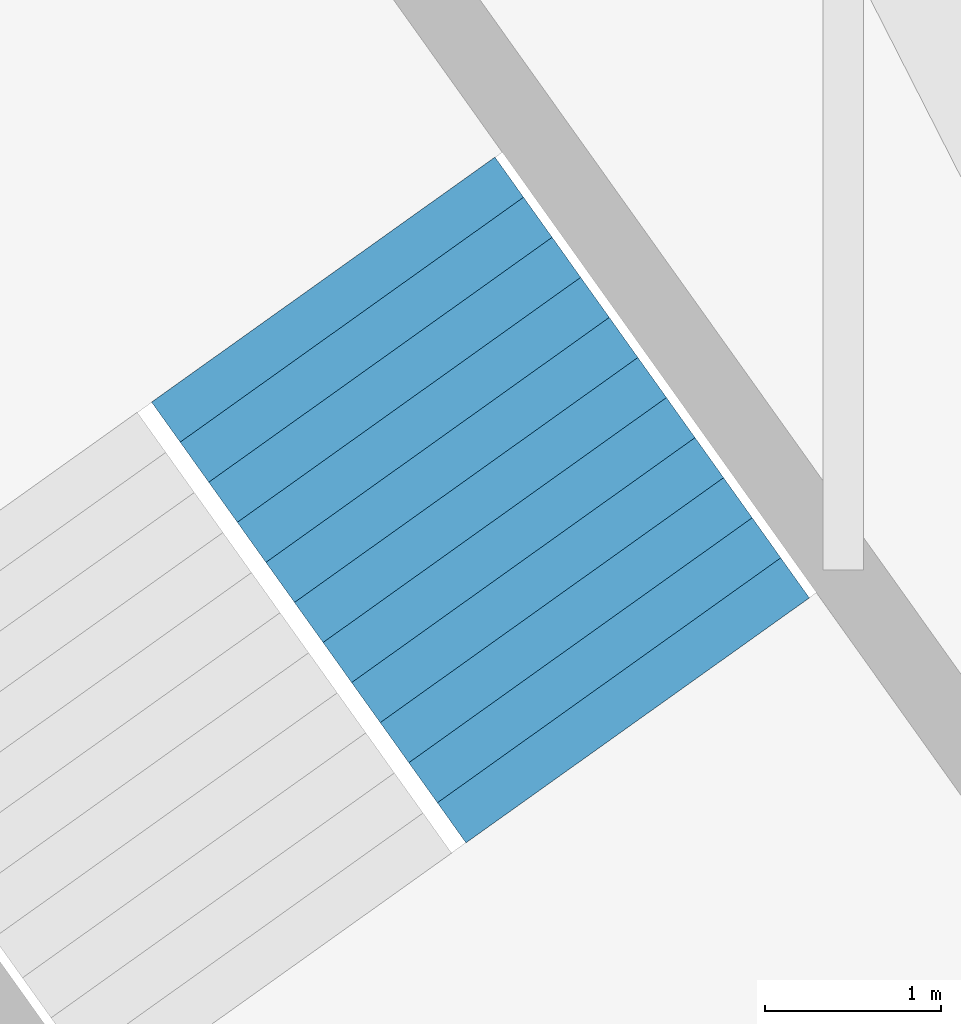
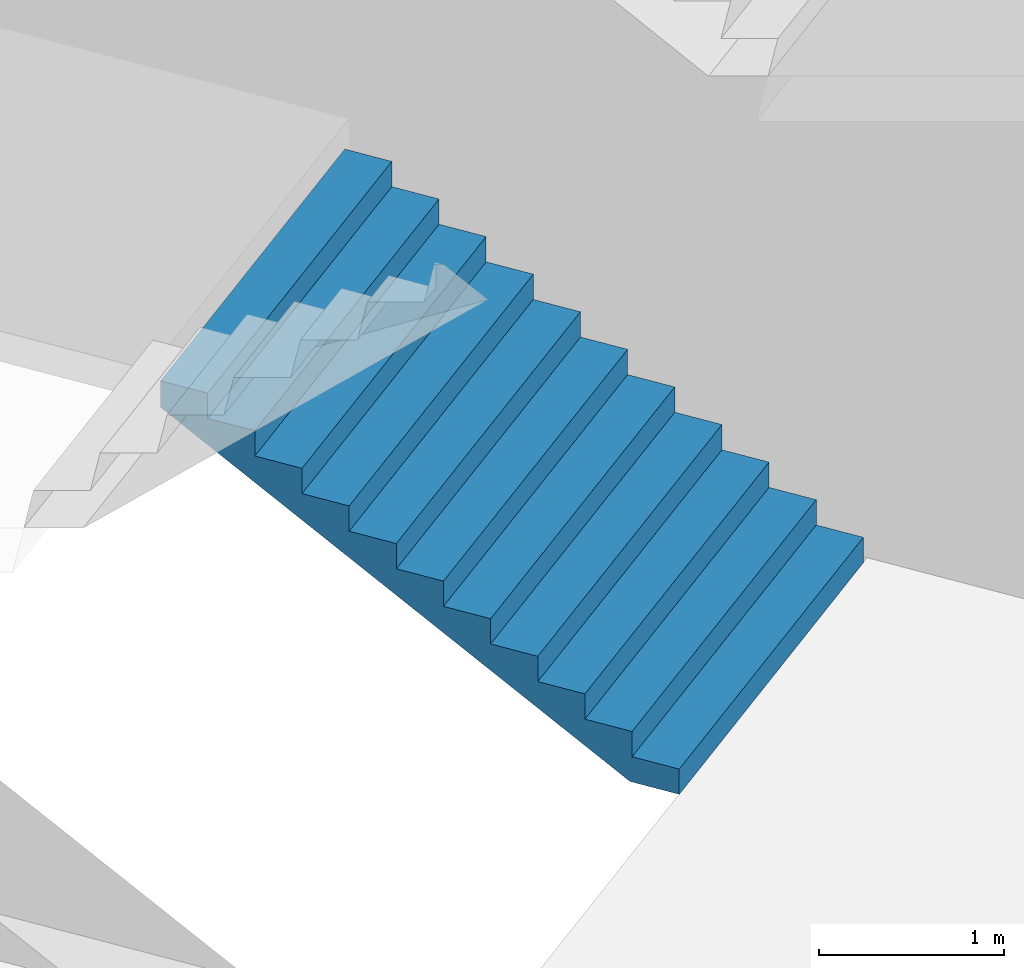
# One storey, part 44 of 74: 1 stair flight, 1 element without a shape of its own.
"""IFC4 building model written with IfcOpenShell, lengths in metres."""

from ifc_helpers import new_model, si_unit, direction, frame, origin, place, context, subcontext, project, spatial, triangles, material, type_object, element, aggregate, save


model = new_model("IFC4")

# Units and contexts
model_context = context("Model", 3, precision=1e-05, world=origin(), true_north=direction((0.0, 1.0)))
body_context = subcontext(model_context, "Body", "Model", "MODEL_VIEW")
ifc_project = project(units=[si_unit("LENGTHUNIT", "METRE"), si_unit("AREAUNIT", "SQUARE_METRE"), si_unit("VOLUMEUNIT", "CUBIC_METRE"), si_unit("PLANEANGLEUNIT", "RADIAN"), si_unit("MASSUNIT", "GRAM", prefix="KILO")], contexts=[model_context])

# Site, building, storey
site_placement = place(None, origin())
site = spatial("IfcSite", under=ifc_project, at=site_placement, CompositionType="ELEMENT")
building_placement = place(site_placement, origin())
building = spatial("IfcBuilding", under=site, at=building_placement, Name="Lantaw Convention Tower", CompositionType="ELEMENT")
storey_placement = place(building_placement, frame((0.0, 0.0, 6.5)))
storey = spatial("IfcBuildingStorey", under=building, at=storey_placement, Name="L01", CompositionType="ELEMENT", Elevation=6.5)

# Stair, stair flight
ifc_material = material(Name="Concrete C35/45", Category="concrete")
stair_type = type_object("IfcStairType", Name="Exit stair 2400 riser 166.67 in 4 flights", PredefinedType="HALF_TURN_STAIR", material=ifc_material)
stair_placement = place(storey_placement, origin())
stair = element("IfcStair", 1, at=stair_placement, inside=storey, type_object=stair_type, Name="Podium exit stair P6 L01", PredefinedType="HALF_TURN_STAIR")
stair_flight_type = type_object("IfcStairFlightType", Name="Stair flight 2400 riser 166.67", PredefinedType="STRAIGHT", material=ifc_material)
stair_flight_placement = place(storey_placement, frame((-16.97021484375, 25.944091796875, 0.0), z_axis=(0.0, 0.0, 1.0), x_axis=(-0.580702955711, 0.814115518356, 0.0)))
stair_flight = element("IfcStairFlight", 2, at=stair_flight_placement, type_object=stair_flight_type, Name="P6 flight 1", NumberOfRisers=12, NumberOfTreads=11, PredefinedType="STRAIGHT", RiserHeight=0.166666667, TreadLength=0.28, context=body_context, shape_type="Tessellation", body=[
    triangles([(0.0, 1.199951171875, 0.0), (0.0, 1.199951171875, 0.166666667), (0.28, 1.199951171875, 0.0), (0.28, 1.199951171875, 0.166666667), (0.28, 1.199951171875, 0.333333334), (0.29307345806906726, 1.199951171875, 0.0), (0.29307345806906726, 1.199951171875, 0.333333334), (0.56, 1.199951171875, 0.15888484670522965), (0.56, 1.199951171875, 0.333333334), (0.56, 1.199951171875, 0.500000001), (0.8400000000000001, 1.199951171875, 0.3255515137052296), (0.8400000000000001, 1.199951171875, 0.500000001), (0.8400000000000001, 1.199951171875, 0.666666668), (1.12, 1.199951171875, 0.4922181807052296), (1.12, 1.199951171875, 0.666666668), (1.12, 1.199951171875, 0.833333335), (1.4000000000000001, 1.199951171875, 0.6588848477052296), (1.4000000000000001, 1.199951171875, 0.833333335), (1.4000000000000001, 1.199951171875, 1.000000002), (1.6800000000000002, 1.199951171875, 0.8255515147052296), (1.6800000000000002, 1.199951171875, 1.000000002), (1.6800000000000002, 1.199951171875, 1.166666669), (1.9600000000000002, 1.199951171875, 0.9922181817052296), (1.9600000000000002, 1.199951171875, 1.166666669), (1.9600000000000002, 1.199951171875, 1.333333336), (2.24, 1.199951171875, 1.1588848487052295), (2.24, 1.199951171875, 1.333333336), (2.24, 1.199951171875, 1.5000000029999998), (2.5200000000000005, 1.199951171875, 1.3255515157052296), (2.5200000000000005, 1.199951171875, 1.5000000029999998), (2.5200000000000005, 1.199951171875, 1.66666667), (2.8000000000000003, 1.199951171875, 1.4922181827052294), (2.8000000000000003, 1.199951171875, 1.66666667), (2.8000000000000003, 1.199951171875, 1.833333337), (3.08, 1.199951171875, 1.6588848497052293), (3.08, 1.199951171875, 1.833333337), (0.0, -1.199951171875, 0.0), (0.0, -1.199951171875, 0.166666667), (0.28, -1.199951171875, 0.0), (0.28, -1.199951171875, 0.166666667), (0.28, -1.199951171875, 0.333333334), (0.29307345806906726, -1.199951171875, 0.0), (0.29307345806906726, -1.199951171875, 0.333333334), (0.56, -1.199951171875, 0.15888484670522965), (0.56, -1.199951171875, 0.333333334), (0.56, -1.199951171875, 0.500000001), (0.8400000000000001, -1.199951171875, 0.3255515137052296), (0.8400000000000001, -1.199951171875, 0.500000001), (0.8400000000000001, -1.199951171875, 0.666666668), (1.12, -1.199951171875, 0.4922181807052296), (1.12, -1.199951171875, 0.666666668), (1.12, -1.199951171875, 0.833333335), (1.4000000000000001, -1.199951171875, 0.6588848477052296), (1.4000000000000001, -1.199951171875, 0.833333335), (1.4000000000000001, -1.199951171875, 1.000000002), (1.6800000000000002, -1.199951171875, 0.8255515147052296), (1.6800000000000002, -1.199951171875, 1.000000002), (1.6800000000000002, -1.199951171875, 1.166666669), (1.9600000000000002, -1.199951171875, 0.9922181817052296), (1.9600000000000002, -1.199951171875, 1.166666669), (1.9600000000000002, -1.199951171875, 1.333333336), (2.24, -1.199951171875, 1.1588848487052295), (2.24, -1.199951171875, 1.333333336), (2.24, -1.199951171875, 1.5000000029999998), (2.5200000000000005, -1.199951171875, 1.3255515157052296), (2.5200000000000005, -1.199951171875, 1.5000000029999998), (2.5200000000000005, -1.199951171875, 1.66666667), (2.8000000000000003, -1.199951171875, 1.4922181827052294), (2.8000000000000003, -1.199951171875, 1.66666667), (2.8000000000000003, -1.199951171875, 1.833333337), (3.08, -1.199951171875, 1.6588848497052293), (3.08, -1.199951171875, 1.833333337), (0.0, 0.239990234375, 0.166666667), (0.0, 0.239990234375, 0.0), (0.0, 0.1199951171875, 0.166666667), (0.0, 0.1199951171875, 0.0), (0.0, 0.0, 0.166666667), (0.0, 0.0, 0.0), (0.0, -0.1199951171875, 0.166666667), (0.0, -0.1199951171875, 0.0), (0.0, -0.239990234375, 0.166666667), (0.0, -0.239990234375, 0.0), (0.28, 0.239990234375, 0.333333334), (0.28, 0.239990234375, 0.166666667), (0.28, 0.1199951171875, 0.333333334), (0.28, 0.1199951171875, 0.166666667), (0.28, 0.0, 0.333333334), (0.28, 0.0, 0.166666667), (0.28, -0.1199951171875, 0.333333334), (0.28, -0.1199951171875, 0.166666667), (0.28, -0.239990234375, 0.333333334), (0.28, -0.239990234375, 0.166666667), (0.56, 0.239990234375, 0.500000001), (0.56, 0.239990234375, 0.333333334), (0.56, 0.1199951171875, 0.500000001), (0.56, 0.1199951171875, 0.333333334), (0.56, 0.0, 0.500000001), (0.56, 0.0, 0.333333334), (0.56, -0.1199951171875, 0.500000001), (0.56, -0.1199951171875, 0.333333334), (0.56, -0.239990234375, 0.500000001), (0.56, -0.239990234375, 0.333333334), (0.8400000000000001, 0.239990234375, 0.666666668), (0.8400000000000001, 0.239990234375, 0.500000001), (0.8400000000000001, 0.1199951171875, 0.666666668), (0.8400000000000001, 0.1199951171875, 0.500000001), (0.8400000000000001, 0.0, 0.666666668), (0.8400000000000001, 0.0, 0.500000001), (0.8400000000000001, -0.1199951171875, 0.666666668), (0.8400000000000001, -0.1199951171875, 0.500000001), (0.8400000000000001, -0.239990234375, 0.666666668), (0.8400000000000001, -0.239990234375, 0.500000001), (1.12, 0.239990234375, 0.833333335), (1.12, 0.239990234375, 0.666666668), (1.12, 0.1199951171875, 0.833333335), (1.12, 0.1199951171875, 0.666666668), (1.12, 0.0, 0.833333335), (1.12, 0.0, 0.666666668), (1.12, -0.1199951171875, 0.833333335), (1.12, -0.1199951171875, 0.666666668), (1.12, -0.239990234375, 0.833333335), (1.12, -0.239990234375, 0.666666668), (1.4000000000000001, 0.239990234375, 1.000000002), (1.4000000000000001, 0.239990234375, 0.833333335), (1.4000000000000001, 0.1199951171875, 1.000000002), (1.4000000000000001, 0.1199951171875, 0.833333335), (1.4000000000000001, 0.0, 1.000000002), (1.4000000000000001, 0.0, 0.833333335), (1.4000000000000001, -0.1199951171875, 1.000000002), (1.4000000000000001, -0.1199951171875, 0.833333335), (1.4000000000000001, -0.239990234375, 1.000000002), (1.4000000000000001, -0.239990234375, 0.833333335), (1.6800000000000002, 0.239990234375, 1.166666669), (1.6800000000000002, 0.239990234375, 1.000000002), (1.6800000000000002, 0.1199951171875, 1.166666669), (1.6800000000000002, 0.1199951171875, 1.000000002), (1.6800000000000002, 0.0, 1.166666669), (1.6800000000000002, 0.0, 1.000000002), (1.6800000000000002, -0.1199951171875, 1.166666669), (1.6800000000000002, -0.1199951171875, 1.000000002), (1.6800000000000002, -0.239990234375, 1.166666669), (1.6800000000000002, -0.239990234375, 1.000000002), (1.9600000000000002, 0.239990234375, 1.333333336), (1.9600000000000002, 0.239990234375, 1.166666669), (1.9600000000000002, 0.1199951171875, 1.333333336), (1.9600000000000002, 0.1199951171875, 1.166666669), (1.9600000000000002, 0.0, 1.333333336), (1.9600000000000002, 0.0, 1.166666669), (1.9600000000000002, -0.1199951171875, 1.333333336), (1.9600000000000002, -0.1199951171875, 1.166666669), (1.9600000000000002, -0.239990234375, 1.333333336), (1.9600000000000002, -0.239990234375, 1.166666669), (2.24, 0.239990234375, 1.5000000029999998), (2.24, 0.239990234375, 1.333333336), (2.24, 0.1199951171875, 1.5000000029999998), (2.24, 0.1199951171875, 1.333333336), (2.24, 0.0, 1.5000000029999998), (2.24, 0.0, 1.333333336), (2.24, -0.1199951171875, 1.5000000029999998), (2.24, -0.1199951171875, 1.333333336), (2.24, -0.239990234375, 1.5000000029999998), (2.24, -0.239990234375, 1.333333336), (2.5200000000000005, 0.239990234375, 1.66666667), (2.5200000000000005, 0.239990234375, 1.5000000029999998), (2.5200000000000005, 0.1199951171875, 1.66666667), (2.5200000000000005, 0.1199951171875, 1.5000000029999998), (2.5200000000000005, 0.0, 1.66666667), (2.5200000000000005, 0.0, 1.5000000029999998), (2.5200000000000005, -0.1199951171875, 1.66666667), (2.5200000000000005, -0.1199951171875, 1.5000000029999998), (2.5200000000000005, -0.239990234375, 1.66666667), (2.5200000000000005, -0.239990234375, 1.5000000029999998), (2.8000000000000003, 0.239990234375, 1.833333337), (2.8000000000000003, 0.239990234375, 1.66666667), (2.8000000000000003, 0.1199951171875, 1.833333337), (2.8000000000000003, 0.1199951171875, 1.66666667), (2.8000000000000003, 0.0, 1.833333337), (2.8000000000000003, 0.0, 1.66666667), (2.8000000000000003, -0.1199951171875, 1.833333337), (2.8000000000000003, -0.1199951171875, 1.66666667), (2.8000000000000003, -0.239990234375, 1.833333337), (2.8000000000000003, -0.239990234375, 1.66666667), (0.29307345806906726, 0.239990234375, 0.333333334), (0.29307345806906726, 0.1199951171875, 0.333333334), (0.29307345806906726, 0.0, 0.333333334), (0.29307345806906726, -0.1199951171875, 0.333333334), (0.29307345806906726, -0.239990234375, 0.333333334), (3.08, 0.239990234375, 1.833333337), (3.08, 0.1199951171875, 1.833333337), (3.08, 0.0, 1.833333337), (3.08, -0.1199951171875, 1.833333337), (3.08, -0.239990234375, 1.833333337), (3.08, 0.239990234375, 1.6588848497052293), (3.08, 0.1199951171875, 1.6588848497052293), (3.08, 0.0, 1.6588848497052293), (3.08, -0.1199951171875, 1.6588848497052293), (3.08, -0.239990234375, 1.6588848497052293), (2.8000000000000003, 0.239990234375, 1.4922181827052294), (2.8000000000000003, 0.1199951171875, 1.4922181827052294), (2.8000000000000003, 0.0, 1.4922181827052294), (2.8000000000000003, -0.1199951171875, 1.4922181827052294), (2.8000000000000003, -0.239990234375, 1.4922181827052294), (2.5200000000000005, 0.239990234375, 1.3255515157052296), (2.5200000000000005, 0.1199951171875, 1.3255515157052296), (2.5200000000000005, 0.0, 1.3255515157052296), (2.5200000000000005, -0.1199951171875, 1.3255515157052296), (2.5200000000000005, -0.239990234375, 1.3255515157052296), (2.24, 0.239990234375, 1.1588848487052295), (2.24, 0.1199951171875, 1.1588848487052295), (2.24, 0.0, 1.1588848487052295), (2.24, -0.1199951171875, 1.1588848487052295), (2.24, -0.239990234375, 1.1588848487052295), (1.9600000000000002, 0.239990234375, 0.9922181817052296), (1.9600000000000002, 0.1199951171875, 0.9922181817052296), (1.9600000000000002, 0.0, 0.9922181817052296), (1.9600000000000002, -0.1199951171875, 0.9922181817052296), (1.9600000000000002, -0.239990234375, 0.9922181817052296), (1.6800000000000002, 0.239990234375, 0.8255515147052296), (1.6800000000000002, 0.1199951171875, 0.8255515147052296), (1.6800000000000002, 0.0, 0.8255515147052296), (1.6800000000000002, -0.1199951171875, 0.8255515147052296), (1.6800000000000002, -0.239990234375, 0.8255515147052296), (1.4000000000000001, 0.239990234375, 0.6588848477052296), (1.4000000000000001, 0.1199951171875, 0.6588848477052296), (1.4000000000000001, 0.0, 0.6588848477052296), (1.4000000000000001, -0.1199951171875, 0.6588848477052296), (1.4000000000000001, -0.239990234375, 0.6588848477052296), (1.12, 0.239990234375, 0.4922181807052296), (1.12, 0.1199951171875, 0.4922181807052296), (1.12, 0.0, 0.4922181807052296), (1.12, -0.1199951171875, 0.4922181807052296), (1.12, -0.239990234375, 0.4922181807052296), (0.8400000000000001, 0.239990234375, 0.3255515137052296), (0.8400000000000001, 0.1199951171875, 0.3255515137052296), (0.8400000000000001, 0.0, 0.3255515137052296), (0.8400000000000001, -0.1199951171875, 0.3255515137052296), (0.8400000000000001, -0.239990234375, 0.3255515137052296), (0.56, 0.239990234375, 0.15888484670522965), (0.56, 0.1199951171875, 0.15888484670522965), (0.56, 0.0, 0.15888484670522965), (0.56, -0.1199951171875, 0.15888484670522965), (0.56, -0.239990234375, 0.15888484670522965), (0.29307345806906726, 0.239990234375, 0.0), (0.29307345806906726, 0.1199951171875, 0.0), (0.29307345806906726, 0.0, 0.0), (0.29307345806906726, -0.1199951171875, 0.0), (0.29307345806906726, -0.239990234375, 0.0), (0.28, 0.239990234375, 0.0), (0.28, 0.1199951171875, 0.0), (0.28, 0.0, 0.0), (0.28, -0.1199951171875, 0.0), (0.28, -0.239990234375, 0.0)], [[1, 4, 3], [1, 2, 4], [3, 4, 6], [4, 7, 6], [4, 5, 7], [6, 9, 8], [6, 7, 9], [8, 9, 11], [9, 12, 11], [9, 10, 12], [11, 12, 14], [12, 15, 14], [12, 13, 15], [14, 15, 17], [15, 18, 17], [15, 16, 18], [17, 18, 20], [18, 21, 20], [18, 19, 21], [20, 21, 23], [21, 24, 23], [21, 22, 24], [23, 24, 26], [24, 27, 26], [24, 25, 27], [26, 27, 29], [27, 30, 29], [27, 28, 30], [29, 30, 32], [30, 33, 32], [30, 31, 33], [32, 33, 35], [33, 36, 35], [33, 34, 36], [37, 39, 40], [37, 40, 38], [39, 42, 40], [40, 42, 43], [40, 43, 41], [42, 44, 45], [42, 45, 43], [44, 47, 45], [45, 47, 48], [45, 48, 46], [47, 50, 48], [48, 50, 51], [48, 51, 49], [50, 53, 51], [51, 53, 54], [51, 54, 52], [53, 56, 54], [54, 56, 57], [54, 57, 55], [56, 59, 57], [57, 59, 60], [57, 60, 58], [59, 62, 60], [60, 62, 63], [60, 63, 61], [62, 65, 63], [63, 65, 66], [63, 66, 64], [65, 68, 66], [66, 68, 69], [66, 69, 67], [68, 71, 69], [69, 71, 72], [69, 72, 70], [1, 73, 2], [1, 74, 73], [74, 75, 73], [74, 76, 75], [76, 77, 75], [76, 78, 77], [78, 79, 77], [78, 80, 79], [80, 81, 79], [80, 82, 81], [82, 38, 81], [82, 37, 38], [4, 83, 5], [4, 84, 83], [84, 85, 83], [84, 86, 85], [86, 87, 85], [86, 88, 87], [88, 89, 87], [88, 90, 89], [90, 91, 89], [90, 92, 91], [92, 41, 91], [92, 40, 41], [9, 93, 10], [9, 94, 93], [94, 95, 93], [94, 96, 95], [96, 97, 95], [96, 98, 97], [98, 99, 97], [98, 100, 99], [100, 101, 99], [100, 102, 101], [102, 46, 101], [102, 45, 46], [12, 103, 13], [12, 104, 103], [104, 105, 103], [104, 106, 105], [106, 107, 105], [106, 108, 107], [108, 109, 107], [108, 110, 109], [110, 111, 109], [110, 112, 111], [112, 49, 111], [112, 48, 49], [15, 113, 16], [15, 114, 113], [114, 115, 113], [114, 116, 115], [116, 117, 115], [116, 118, 117], [118, 119, 117], [118, 120, 119], [120, 121, 119], [120, 122, 121], [122, 52, 121], [122, 51, 52], [18, 123, 19], [18, 124, 123], [124, 125, 123], [124, 126, 125], [126, 127, 125], [126, 128, 127], [128, 129, 127], [128, 130, 129], [130, 131, 129], [130, 132, 131], [132, 55, 131], [132, 54, 55], [21, 133, 22], [21, 134, 133], [134, 135, 133], [134, 136, 135], [136, 137, 135], [136, 138, 137], [138, 139, 137], [138, 140, 139], [140, 141, 139], [140, 142, 141], [142, 58, 141], [142, 57, 58], [24, 143, 25], [24, 144, 143], [144, 145, 143], [144, 146, 145], [146, 147, 145], [146, 148, 147], [148, 149, 147], [148, 150, 149], [150, 151, 149], [150, 152, 151], [152, 61, 151], [152, 60, 61], [27, 153, 28], [27, 154, 153], [154, 155, 153], [154, 156, 155], [156, 157, 155], [156, 158, 157], [158, 159, 157], [158, 160, 159], [160, 161, 159], [160, 162, 161], [162, 64, 161], [162, 63, 64], [30, 163, 31], [30, 164, 163], [164, 165, 163], [164, 166, 165], [166, 167, 165], [166, 168, 167], [168, 169, 167], [168, 170, 169], [170, 171, 169], [170, 172, 171], [172, 67, 171], [172, 66, 67], [33, 173, 34], [33, 174, 173], [174, 175, 173], [174, 176, 175], [176, 177, 175], [176, 178, 177], [178, 179, 177], [178, 180, 179], [180, 181, 179], [180, 182, 181], [182, 70, 181], [182, 69, 70], [2, 84, 4], [2, 73, 84], [73, 86, 84], [73, 75, 86], [75, 88, 86], [75, 77, 88], [77, 90, 88], [77, 79, 90], [79, 92, 90], [79, 81, 92], [81, 40, 92], [81, 38, 40], [5, 183, 7], [5, 83, 183], [83, 184, 183], [83, 85, 184], [85, 185, 184], [85, 87, 185], [87, 186, 185], [87, 89, 186], [89, 187, 186], [89, 91, 187], [91, 43, 187], [91, 41, 43], [7, 94, 9], [7, 183, 94], [183, 96, 94], [183, 184, 96], [184, 98, 96], [184, 185, 98], [185, 100, 98], [185, 186, 100], [186, 102, 100], [186, 187, 102], [187, 45, 102], [187, 43, 45], [10, 104, 12], [10, 93, 104], [93, 106, 104], [93, 95, 106], [95, 108, 106], [95, 97, 108], [97, 110, 108], [97, 99, 110], [99, 112, 110], [99, 101, 112], [101, 48, 112], [101, 46, 48], [13, 114, 15], [13, 103, 114], [103, 116, 114], [103, 105, 116], [105, 118, 116], [105, 107, 118], [107, 120, 118], [107, 109, 120], [109, 122, 120], [109, 111, 122], [111, 51, 122], [111, 49, 51], [16, 124, 18], [16, 113, 124], [113, 126, 124], [113, 115, 126], [115, 128, 126], [115, 117, 128], [117, 130, 128], [117, 119, 130], [119, 132, 130], [119, 121, 132], [121, 54, 132], [121, 52, 54], [19, 134, 21], [19, 123, 134], [123, 136, 134], [123, 125, 136], [125, 138, 136], [125, 127, 138], [127, 140, 138], [127, 129, 140], [129, 142, 140], [129, 131, 142], [131, 57, 142], [131, 55, 57], [22, 144, 24], [22, 133, 144], [133, 146, 144], [133, 135, 146], [135, 148, 146], [135, 137, 148], [137, 150, 148], [137, 139, 150], [139, 152, 150], [139, 141, 152], [141, 60, 152], [141, 58, 60], [25, 154, 27], [25, 143, 154], [143, 156, 154], [143, 145, 156], [145, 158, 156], [145, 147, 158], [147, 160, 158], [147, 149, 160], [149, 162, 160], [149, 151, 162], [151, 63, 162], [151, 61, 63], [28, 164, 30], [28, 153, 164], [153, 166, 164], [153, 155, 166], [155, 168, 166], [155, 157, 168], [157, 170, 168], [157, 159, 170], [159, 172, 170], [159, 161, 172], [161, 66, 172], [161, 64, 66], [31, 174, 33], [31, 163, 174], [163, 176, 174], [163, 165, 176], [165, 178, 176], [165, 167, 178], [167, 180, 178], [167, 169, 180], [169, 182, 180], [169, 171, 182], [171, 69, 182], [171, 67, 69], [34, 188, 36], [34, 173, 188], [173, 189, 188], [173, 175, 189], [175, 190, 189], [175, 177, 190], [177, 191, 190], [177, 179, 191], [179, 192, 191], [179, 181, 192], [181, 72, 192], [181, 70, 72], [36, 193, 35], [36, 188, 193], [188, 194, 193], [188, 189, 194], [189, 195, 194], [189, 190, 195], [190, 196, 195], [190, 191, 196], [191, 197, 196], [191, 192, 197], [192, 71, 197], [192, 72, 71], [35, 198, 32], [35, 193, 198], [193, 199, 198], [193, 194, 199], [194, 200, 199], [194, 195, 200], [195, 201, 200], [195, 196, 201], [196, 202, 201], [196, 197, 202], [197, 68, 202], [197, 71, 68], [32, 203, 29], [32, 198, 203], [198, 204, 203], [198, 199, 204], [199, 205, 204], [199, 200, 205], [200, 206, 205], [200, 201, 206], [201, 207, 206], [201, 202, 207], [202, 65, 207], [202, 68, 65], [29, 208, 26], [29, 203, 208], [203, 209, 208], [203, 204, 209], [204, 210, 209], [204, 205, 210], [205, 211, 210], [205, 206, 211], [206, 212, 211], [206, 207, 212], [207, 62, 212], [207, 65, 62], [26, 213, 23], [26, 208, 213], [208, 214, 213], [208, 209, 214], [209, 215, 214], [209, 210, 215], [210, 216, 215], [210, 211, 216], [211, 217, 216], [211, 212, 217], [212, 59, 217], [212, 62, 59], [23, 218, 20], [23, 213, 218], [213, 219, 218], [213, 214, 219], [214, 220, 219], [214, 215, 220], [215, 221, 220], [215, 216, 221], [216, 222, 221], [216, 217, 222], [217, 56, 222], [217, 59, 56], [20, 223, 17], [20, 218, 223], [218, 224, 223], [218, 219, 224], [219, 225, 224], [219, 220, 225], [220, 226, 225], [220, 221, 226], [221, 227, 226], [221, 222, 227], [222, 53, 227], [222, 56, 53], [17, 228, 14], [17, 223, 228], [223, 229, 228], [223, 224, 229], [224, 230, 229], [224, 225, 230], [225, 231, 230], [225, 226, 231], [226, 232, 231], [226, 227, 232], [227, 50, 232], [227, 53, 50], [14, 233, 11], [14, 228, 233], [228, 234, 233], [228, 229, 234], [229, 235, 234], [229, 230, 235], [230, 236, 235], [230, 231, 236], [231, 237, 236], [231, 232, 237], [232, 47, 237], [232, 50, 47], [11, 238, 8], [11, 233, 238], [233, 239, 238], [233, 234, 239], [234, 240, 239], [234, 235, 240], [235, 241, 240], [235, 236, 241], [236, 242, 241], [236, 237, 242], [237, 44, 242], [237, 47, 44], [8, 243, 6], [8, 238, 243], [238, 244, 243], [238, 239, 244], [239, 245, 244], [239, 240, 245], [240, 246, 245], [240, 241, 246], [241, 247, 246], [241, 242, 247], [242, 42, 247], [242, 44, 42], [6, 248, 3], [6, 243, 248], [243, 249, 248], [243, 244, 249], [244, 250, 249], [244, 245, 250], [245, 251, 250], [245, 246, 251], [246, 252, 251], [246, 247, 252], [247, 39, 252], [247, 42, 39], [3, 74, 1], [3, 248, 74], [248, 76, 74], [248, 249, 76], [249, 78, 76], [249, 250, 78], [250, 80, 78], [250, 251, 80], [251, 82, 80], [251, 252, 82], [252, 37, 82], [252, 39, 37]], closed=True),
])
aggregate(stair, [stair_flight])

save(model, "model.ifc")
